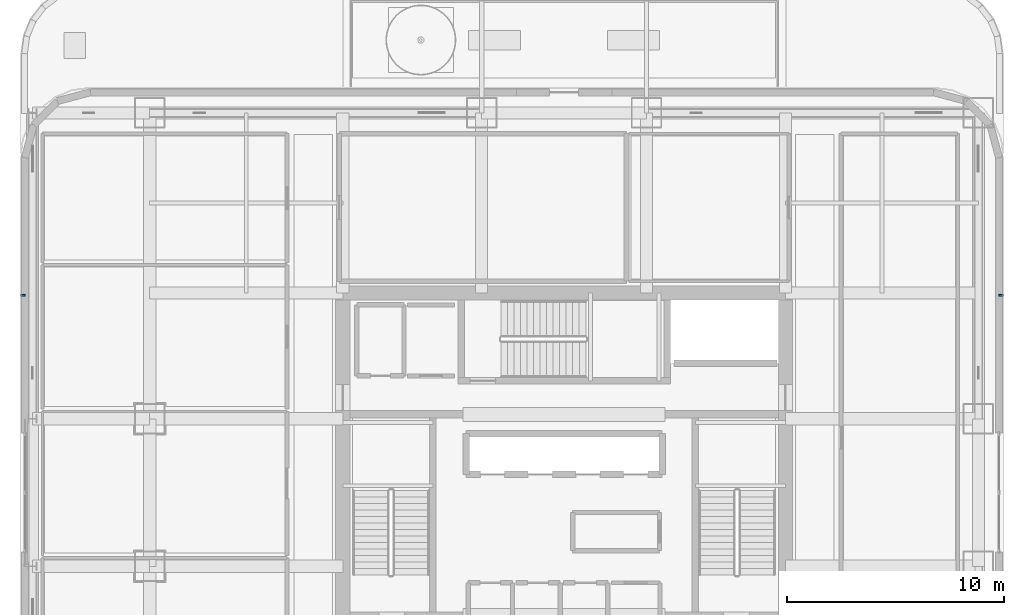
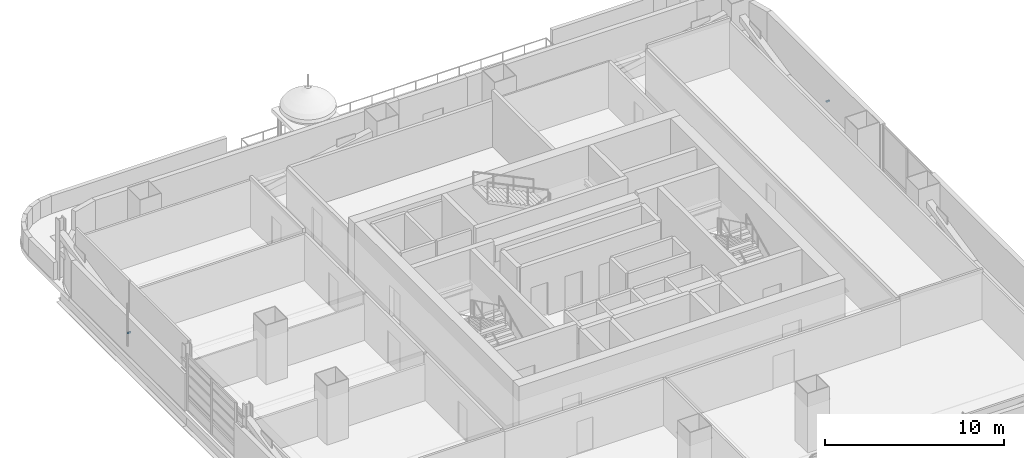
# One storey, part 15 of 29: 2 discrete accessories.
"""IFC4 building model written with IfcOpenShell, lengths in metres."""

from ifc_helpers import new_model, si_unit, direction, frame, origin, origin_2d, place, context, subcontext, project, spatial, rectangle, extrude, material, type_object, element, save


model = new_model("IFC4")

# Units and contexts
model_context = context("Model", 3, precision=1e-05, world=origin(), true_north=direction((0.0, 1.0)))
body_context = subcontext(model_context, "Body", "Model", "MODEL_VIEW")
ifc_project = project(units=[si_unit("LENGTHUNIT", "METRE"), si_unit("AREAUNIT", "SQUARE_METRE"), si_unit("VOLUMEUNIT", "CUBIC_METRE"), si_unit("PLANEANGLEUNIT", "RADIAN"), si_unit("MASSUNIT", "GRAM", prefix="KILO")], contexts=[model_context])

# Site, building, storey
site_placement = place(None, origin())
site = spatial("IfcSite", under=ifc_project, at=site_placement, CompositionType="ELEMENT")
building_placement = place(site_placement, origin())
building = spatial("IfcBuilding", under=site, at=building_placement, Name="Punatoya Terracotta Tower", CompositionType="ELEMENT")
storey_placement = place(building_placement, frame((0.0, 0.0, 172.199951171875)))
storey = spatial("IfcBuildingStorey", under=building, at=storey_placement, Name="L40", CompositionType="ELEMENT", Elevation=172.199951171875)

# Discrete accessories
ifc_material = material(Name="Steel S355", Category="steel")
discrete_accessory_type = type_object("IfcDiscreteAccessoryType", Name="ACC-BRK-220", PredefinedType="BRACKET", material=ifc_material)
for number, where, z_axis, x_axis, name in (
    (1, (20.14990234375, 9.093505859375, 1.449951171875), (0.0, 0.0, 1.0), (0.0, 1.0, 0.0), "L40 Jali Fin Support Bracket E2"),
    (2, (-24.949951171875, 9.093505859375, 1.449951171875), (0.0, 0.0, 1.0), (0.0, -1.0, 0.0), "L40 Jali Fin Support Bracket W1"),
):
    element("IfcDiscreteAccessory", number, at=place(storey_placement, frame(where, z_axis=z_axis, x_axis=x_axis)), inside=storey, type_object=discrete_accessory_type, Name=name, PredefinedType="BRACKET", context=body_context, shape_type="SweptSolid", body=[
        extrude(rectangle(XDim=0.090087890625, YDim=0.219970703125, at=origin_2d()), origin(), (0.0, 0.0, 1.0), 0.10009765625),
    ])

save(model, "model.ifc")
